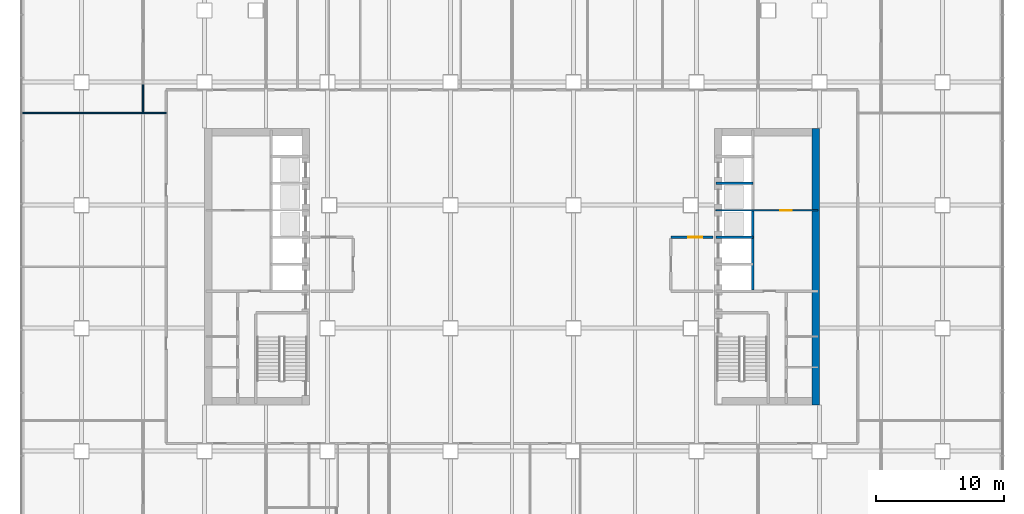
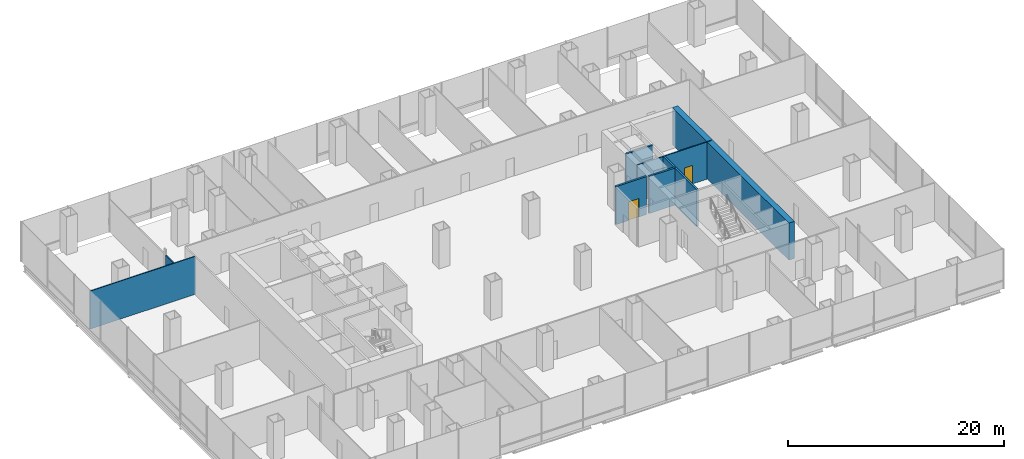
# One storey, part 18 of 23: 8 walls, 2 doors, 2 openings.
"""IFC4 building model written with IfcOpenShell, lengths in metres."""

from ifc_helpers import new_model, si_unit, direction, frame, frame_2d, origin, place, context, subcontext, project, spatial, rectangle, extrude, material, layer, layer_set, type_object, element, fill, save


model = new_model("IFC4")

# Units and contexts
model_context = context("Model", 3, precision=1e-05, world=origin(), true_north=direction((0.0, 1.0)))
body_context = subcontext(model_context, "Body", "Model", "MODEL_VIEW")
ifc_project = project(units=[si_unit("LENGTHUNIT", "METRE"), si_unit("AREAUNIT", "SQUARE_METRE"), si_unit("VOLUMEUNIT", "CUBIC_METRE"), si_unit("PLANEANGLEUNIT", "RADIAN"), si_unit("MASSUNIT", "GRAM", prefix="KILO")], contexts=[model_context])

# Site, building, storey
site_placement = place(None, origin())
site = spatial("IfcSite", under=ifc_project, at=site_placement, CompositionType="ELEMENT")
building_placement = place(site_placement, origin())
building = spatial("IfcBuilding", under=site, at=building_placement, Name="Cobrizo Arcos Hotel Tower", CompositionType="ELEMENT")
storey_placement = place(building_placement, frame((0.0, 0.0, 20.0)))
storey = spatial("IfcBuildingStorey", under=building, at=storey_placement, Name="L03", CompositionType="ELEMENT", Elevation=20.0)

# Wall, opening, door
ifc_material_1 = material(Name="Gypsum board partition")
ifc_layer_1 = layer(ifc_material_1, 0.10009765625)
ifc_layer_set_1 = layer_set([ifc_layer_1], Name="Partition EI 30 100")
wall_type_1 = type_object("IfcWallType", Name="Partition EI 30 100", PredefinedType="PARTITIONING", material=ifc_layer_set_1)
wall_1_placement = place(storey_placement, frame((15.919921875, 4.39990234375, 0.0), z_axis=(0.0, 0.0, 1.0), x_axis=(1.0, 0.0, 0.0)))
wall_1 = element("IfcWall", 1, at=wall_1_placement, inside=storey, type_object=wall_type_1, Name="Partition 024", PredefinedType="PARTITIONING", context=body_context, shape_type="SweptSolid", body=[
    extrude(rectangle(XDim=7.9599609375, YDim=0.10009765625, at=frame_2d((3.97998046875, 0.0))), origin(), (0.0, 0.0, 1.0), 4.199951171875),
])
opening_1_placement = place(wall_1_placement, frame((5.030029296875, 0.0, 0.0)))
opening_1 = element("IfcOpeningElement", 2, at=opening_1_placement, cuts=wall_1, Name="Opening RD-10", PredefinedType="OPENING", context=body_context, shape_type="SweptSolid", body=[
    extrude(rectangle(XDim=0.89990234375, YDim=2.10009765625, at=frame_2d((0.449951171875, 1.050048828125))), frame((0.0, 0.06201171875, 0.0), z_axis=(0.0, -1.0, 0.0), x_axis=(1.0, 0.0, 0.0)), (0.0, 0.0, 1.0), 0.1240234375),
])
ifc_material_2 = material(Name="Timber door leaf", Category="wood")
door_type_1 = type_object("IfcDoorType", Name="Room door FD30 900x2100", OperationType="SINGLE_SWING_LEFT", PredefinedType="DOOR", material=ifc_material_2)
door_1_placement = place(opening_1_placement, origin())
door_1 = element("IfcDoor", 3, at=door_1_placement, inside=storey, type_object=door_type_1, Name="Door RD-10", OperationType="SINGLE_SWING_RIGHT", OverallHeight=2.10009765625, OverallWidth=0.89990234375, PredefinedType="DOOR", context=body_context, shape_type="SweptSolid", body=[
    extrude(rectangle(XDim=0.89990234375, YDim=2.10009765625, at=frame_2d((0.449951171875, 1.050048828125))), frame((0.0, 0.02490234375, 0.0), z_axis=(0.0, -1.0, 0.0), x_axis=(1.0, 0.0, 0.0)), (0.0, 0.0, 1.0), 0.050048828125),
])
fill(opening_1, door_1)

# Walls
wall_2_placement = place(storey_placement, frame((-38.280029296875, 12.0, 0.0), z_axis=(0.0, 0.0, 1.0), x_axis=(1.0, 0.0, 0.0)))
element("IfcWall", 4, at=wall_2_placement, inside=storey, type_object=wall_type_1, Name="Partition 029", PredefinedType="PARTITIONING", context=body_context, shape_type="SweptSolid", body=[
    extrude(rectangle(XDim=11.280029296875, YDim=0.10009765625, at=frame_2d((5.64013671875, 0.0))), origin(), (0.0, 0.0, 1.0), 4.300048828125),
])
wall_3_placement = place(storey_placement, frame((-28.800048828125, 12.050048828125, 0.0), z_axis=(0.0, 0.0, 1.0), x_axis=(0.0, 1.0, 0.0)))
element("IfcWall", 5, at=wall_3_placement, inside=storey, type_object=wall_type_1, Name="Partition 035", PredefinedType="PARTITIONING", context=body_context, shape_type="SweptSolid", body=[
    extrude(rectangle(XDim=2.196044921875, YDim=0.10009765625, at=frame_2d((1.09814453125, 0.0))), origin(), (0.0, 0.0, 1.0), 3.68310546875),
])
ifc_material_3 = material(Name="Concrete f'c 60 MPa", Category="concrete")
ifc_layer_2 = layer(ifc_material_3, 0.60009765625)
ifc_layer_set_2 = layer_set([ifc_layer_2], Name="RC core wall 600 f'c 60")
wall_type_2 = type_object("IfcWallType", Name="RC core wall 600 f'c 60", PredefinedType="SHEAR", material=ifc_layer_set_2)
wall_4_placement = place(storey_placement, frame((23.699951171875, -10.800048828125, 0.0), z_axis=(0.0, 0.0, 1.0), x_axis=(0.0, 1.0, 0.0)))
element("IfcWall", 6, at=wall_4_placement, inside=storey, type_object=wall_type_2, Name="Core wall CW1, east core, outer face, L03", PredefinedType="SHEAR", context=body_context, shape_type="SweptSolid", body=[
    extrude(rectangle(XDim=21.60009765625, YDim=0.60009765625, at=frame_2d((10.800048828125, 0.0))), origin(), (0.0, 0.0, 1.0), 4.199951171875),
])

# Wall, opening, door
ifc_layer_3 = layer(ifc_material_1, 0.199951171875)
ifc_layer_set_3 = layer_set([ifc_layer_3], Name="Shaft wall EI 120 200")
wall_type_3 = type_object("IfcWallType", Name="Shaft wall EI 120 200", PredefinedType="PARTITIONING", material=ifc_layer_set_3)
wall_5_placement = place(storey_placement, frame((12.39990234375, 2.300048828125, 0.0), z_axis=(0.0, 0.0, 1.0), x_axis=(1.0, 0.0, 0.0)))
wall_5 = element("IfcWall", 7, at=wall_5_placement, inside=storey, type_object=wall_type_3, Name="Partition 021", PredefinedType="PARTITIONING", context=body_context, shape_type="SweptSolid", body=[
    extrude(rectangle(XDim=3.280029296875, YDim=0.199951171875, at=frame_2d((1.64013671875, 0.0))), origin(), (0.0, 0.0, 1.0), 4.300048828125),
])
opening_2_placement = place(wall_5_placement, frame((1.340087890625, 0.0, 0.0)))
opening_2 = element("IfcOpeningElement", 8, at=opening_2_placement, cuts=wall_5, Name="Opening FD-06", PredefinedType="OPENING", context=body_context, shape_type="SweptSolid", body=[
    extrude(rectangle(XDim=1.10009765625, YDim=2.10009765625, at=frame_2d((0.550048828125, 1.050048828125))), frame((0.0, 0.112060546875, 0.0), z_axis=(0.0, -1.0, 0.0), x_axis=(1.0, 0.0, 0.0)), (0.0, 0.0, 1.0), 0.223876953125),
])
ifc_material_4 = material(Name="Steel door leaf", Category="steel")
door_type_2 = type_object("IfcDoorType", Name="Fire door FD60 1100x2100", OperationType="SINGLE_SWING_LEFT", PredefinedType="DOOR", material=ifc_material_4)
door_2_placement = place(opening_2_placement, origin())
door_2 = element("IfcDoor", 9, at=door_2_placement, inside=storey, type_object=door_type_2, Name="Door FD-06", OperationType="SINGLE_SWING_LEFT", OverallHeight=2.10009765625, OverallWidth=1.10009765625, PredefinedType="DOOR", context=body_context, shape_type="SweptSolid", body=[
    extrude(rectangle(XDim=1.10009765625, YDim=2.10009765625, at=frame_2d((0.550048828125, 1.050048828125))), frame((0.0, 0.02490234375, 0.0), z_axis=(0.0, -1.0, 0.0), x_axis=(1.0, 0.0, 0.0)), (0.0, 0.0, 1.0), 0.050048828125),
])
fill(opening_2, door_2)

# Walls
for number, where, z_axis, x_axis, name in (
    (10, (15.919921875, 2.300048828125, 0.0), (0.0, 0.0, 1.0), (1.0, 0.0, 0.0), "Partition 022"),
    (11, (15.919921875, 6.5, 0.0), (0.0, 0.0, 1.0), (1.0, 0.0, 0.0), "Partition 026"),
):
    element("IfcWall", number, at=place(storey_placement, frame(where, z_axis=z_axis, x_axis=x_axis)), inside=storey, type_object=wall_type_3, Name=name, PredefinedType="PARTITIONING", context=body_context, shape_type="SweptSolid", body=[
        extrude(rectangle(XDim=2.880126953125, YDim=0.199951171875, at=frame_2d((1.43994140625, 0.0))), origin(), (0.0, 0.0, 1.0), 4.199951171875),
    ])
wall_6_placement = place(storey_placement, frame((18.800048828125, -1.800048828125, 0.0), z_axis=(0.0, 0.0, 1.0), x_axis=(0.0, 1.0, 0.0)))
element("IfcWall", 12, at=wall_6_placement, inside=storey, type_object=wall_type_3, Name="Partition 067", PredefinedType="PARTITIONING", context=body_context, shape_type="SweptSolid", body=[
    extrude(rectangle(XDim=6.150146484375, YDim=0.199951171875, at=frame_2d((3.0751953125, 0.0))), origin(), (0.0, 0.0, 1.0), 4.199951171875),
])

save(model, "model.ifc")
